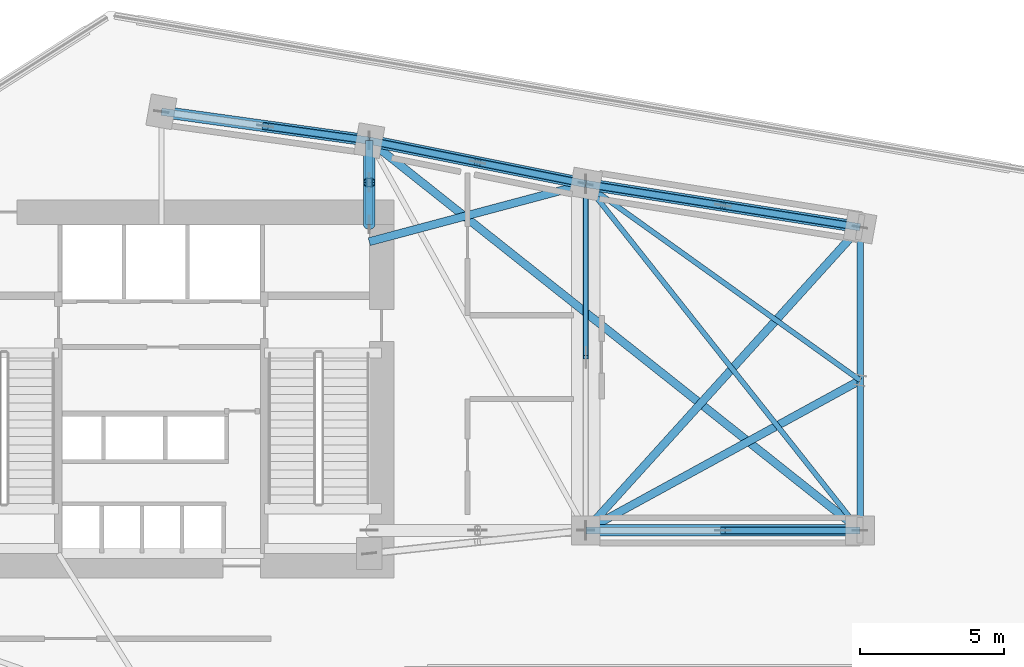
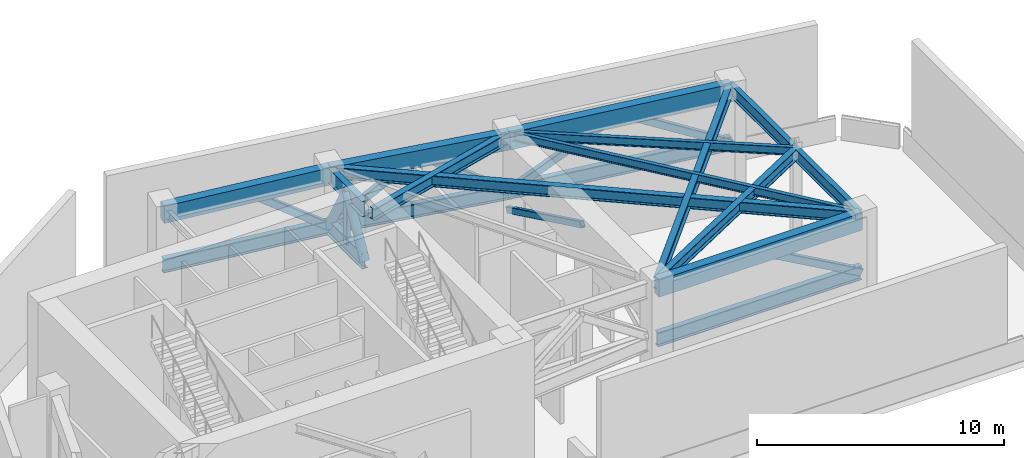
# One storey, part 3 of 10: 17 beams, 10 members.
"""IFC4 building model written with IfcOpenShell, lengths in metres."""

from ifc_helpers import new_model, si_unit, direction, frame, origin, origin_2d, place, context, subcontext, project, spatial, rectangle, hollow_rectangle, hollow_circle, i_section, extrude, source, transform, mapped, material, material_profile, profile_set, type_object, element, save


model = new_model("IFC4")

# Units and contexts
model_context = context("Model", 3, precision=1e-05, world=origin(), true_north=direction((0.0, 1.0)))
body_context = subcontext(model_context, "Body", "Model", "MODEL_VIEW")
ifc_project = project(units=[si_unit("LENGTHUNIT", "METRE"), si_unit("AREAUNIT", "SQUARE_METRE"), si_unit("VOLUMEUNIT", "CUBIC_METRE"), si_unit("PLANEANGLEUNIT", "RADIAN"), si_unit("MASSUNIT", "GRAM", prefix="KILO")], contexts=[model_context])

# Site, building, storey
site_placement = place(None, origin())
site = spatial("IfcSite", under=ifc_project, at=site_placement, CompositionType="ELEMENT")
building_placement = place(site_placement, origin())
building = spatial("IfcBuilding", under=site, at=building_placement, Name="Calvemar Wedge Station Tower", CompositionType="ELEMENT")
storey_placement = place(building_placement, frame((0.0, 0.0, 99.0)))
storey = spatial("IfcBuildingStorey", under=building, at=storey_placement, Name="L24", CompositionType="ELEMENT", Elevation=99.0)

# Beams
ifc_material_1 = material(Name="Concrete C60", Category="concrete")
ifc_material_profile_1 = material_profile(ifc_material_1, rectangle(XDim=0.39990234375, YDim=0.85009765625, at=origin_2d()), Name="RC400x850")
ifc_profile_set_1 = profile_set([ifc_material_profile_1], Name="Concrete C60")
beam_type_1 = type_object("IfcBeamType", Name="BM-SP1-850", PredefinedType="SPANDREL", material=ifc_profile_set_1)
shared_shape_1 = source(origin(), body_context, "Body", "SweptSolid", [
    extrude(rectangle(XDim=0.39990234375, YDim=0.85009765625, at=origin_2d()), origin(), (0.0, 0.0, 1.0), 7.26904296875),
])
beam_1_placement = place(storey_placement, frame((23.800048828125, 49.5, 5.675048828125), z_axis=(0.990492146053, -0.13756928657, 0.0), x_axis=(0.13756928657, 0.990492146053, 0.0)))
element("IfcBeam", 1, at=beam_1_placement, inside=storey, type_object=beam_type_1, Name="Storey L24 Spandrel T-N1-T-N2", PredefinedType="SPANDREL", context=body_context, shape_type="MappedRepresentation", body=[
    mapped(shared_shape_1, transform((0.0, 0.0, 0.0), scale=1.0)),
])
shared_shape_2 = source(origin(), body_context, "Body", "SweptSolid", [
    extrude(rectangle(XDim=0.39990234375, YDim=0.85009765625, at=origin_2d()), origin(), (0.0, 0.0, 1.0), 7.6484375),
])
beam_2_placement = place(storey_placement, frame((31.0, 48.5, 5.675048828125), z_axis=(0.980580675691, -0.196116135138, 0.0), x_axis=(0.196116135138, 0.980580675691, 0.0)))
element("IfcBeam", 2, at=beam_2_placement, inside=storey, type_object=beam_type_1, Name="Storey L24 Spandrel T-N2-T-NU3", PredefinedType="SPANDREL", context=body_context, shape_type="MappedRepresentation", body=[
    mapped(shared_shape_2, transform((0.0, 0.0, 0.0), scale=1.0)),
])
shared_shape_3 = source(origin(), body_context, "Body", "SweptSolid", [
    extrude(rectangle(XDim=0.39990234375, YDim=0.85009765625, at=origin_2d()), origin(), (0.0, 0.0, 1.0), 9.61767578125),
])
beam_3_placement = place(storey_placement, frame((38.5, 47.0, 5.675048828125), z_axis=(0.987762965329, -0.155962573473, 0.0), x_axis=(0.155962573473, 0.987762965329, 0.0)))
element("IfcBeam", 3, at=beam_3_placement, inside=storey, type_object=beam_type_1, Name="Storey L24 Spandrel T-NU3-T-NU4", PredefinedType="SPANDREL", context=body_context, shape_type="MappedRepresentation", body=[
    mapped(shared_shape_3, transform((0.0, 0.0, 0.0), scale=1.0)),
])
shared_shape_4 = source(origin(), body_context, "Body", "SweptSolid", [
    extrude(rectangle(XDim=0.39990234375, YDim=0.85009765625, at=origin_2d()), origin(), (0.0, 0.0, 1.0), 9.5),
])
beam_4_placement = place(storey_placement, frame((38.5, 35.0, 5.675048828125), z_axis=(1.0, 0.0, 0.0), x_axis=(0.0, 1.0, 0.0)))
element("IfcBeam", 4, at=beam_4_placement, inside=storey, type_object=beam_type_1, Name="Storey L24 Spandrel T-NL2-T-NL3", PredefinedType="SPANDREL", context=body_context, shape_type="MappedRepresentation", body=[
    mapped(shared_shape_4, transform((0.0, 0.0, 0.0), scale=1.0)),
])
ifc_material_2 = material(Name="Structural steel ASTM A572 Grade 50", Category="steel")
ifc_material_profile_2 = material_profile(ifc_material_2, i_section(OverallWidth=0.22998046875, OverallDepth=0.616943359375, WebThickness=0.01318359375, FlangeThickness=0.022216796875, FilletRadius=0.012939453125, at=origin_2d()), Name="W610x140")
ifc_profile_set_2 = profile_set([ifc_material_profile_2], Name="Structural steel ASTM A572 Grade 50")
beam_type_2 = type_object("IfcBeamType", Name="BM-SB2-W610", PredefinedType="BEAM", material=ifc_profile_set_2)
shared_shape_5 = source(origin(), body_context, "Body", "SweptSolid", [
    extrude(i_section(OverallWidth=0.22998046875, OverallDepth=0.616943359375, WebThickness=0.01318359375, FlangeThickness=0.022216796875, FilletRadius=0.012939453125, at=origin_2d()), origin(), (0.0, 0.0, 1.0), 10.5),
])
beam_5_placement = place(storey_placement, frame((48.0, 45.5, 5.79150390625), z_axis=(0.0, -1.0, 0.0), x_axis=(1.0, 0.0, 0.0)))
element("IfcBeam", 5, at=beam_5_placement, inside=storey, type_object=beam_type_2, Name="Storey L24 Floor Beam T-NU4-T-NL3", PredefinedType="BEAM", context=body_context, shape_type="MappedRepresentation", body=[
    mapped(shared_shape_5, transform((0.0, 0.0, 0.0), scale=1.0)),
])
ifc_material_profile_3 = material_profile(ifc_material_2, i_section(OverallWidth=0.279052734375, OverallDepth=0.553955078125, WebThickness=0.017578125, FlangeThickness=0.029541015625, FilletRadius=0.014892578125, at=origin_2d()), Name="W530x196")
ifc_profile_set_3 = profile_set([ifc_material_profile_3], Name="Structural steel ASTM A572 Grade 50")
beam_type_3 = type_object("IfcBeamType", Name="BM-SB3-W530H", PredefinedType="BEAM", material=ifc_profile_set_3)
shared_shape_6 = source(origin(), body_context, "Body", "SweptSolid", [
    extrude(i_section(OverallWidth=0.279052734375, OverallDepth=0.553955078125, WebThickness=0.017578125, FlangeThickness=0.029541015625, FilletRadius=0.014892578125, at=origin_2d()), origin(), (0.0, 0.0, 1.0), 21.708251953125),
])
beam_6_placement = place(storey_placement, frame((31.0, 48.5, 5.822998046875), z_axis=(0.783110847498, -0.621882143602, 0.0), x_axis=(0.621882143602, 0.783110847498, 0.0)))
element("IfcBeam", 6, at=beam_6_placement, inside=storey, type_object=beam_type_3, Name="Storey L24 Floor Beam T-N2-T-NL3", PredefinedType="BEAM", context=body_context, shape_type="MappedRepresentation", body=[
    mapped(shared_shape_6, transform((0.0, 0.0, 0.0), scale=1.0)),
])
ifc_material_profile_4 = material_profile(ifc_material_2, i_section(OverallWidth=0.177978515625, OverallDepth=0.406982421875, WebThickness=0.0078125, FlangeThickness=0.0126953125, FilletRadius=0.010009765625, at=origin_2d()), Name="W410x60")
ifc_profile_set_4 = profile_set([ifc_material_profile_4], Name="Structural steel ASTM A572 Grade 50")
beam_type_4 = type_object("IfcBeamType", Name="BM-J3-W410", PredefinedType="JOIST", material=ifc_profile_set_4)
shared_shape_7 = source(origin(), body_context, "Body", "SweptSolid", [
    extrude(i_section(OverallWidth=0.177978515625, OverallDepth=0.406982421875, WebThickness=0.0078125, FlangeThickness=0.0126953125, FilletRadius=0.010009765625, at=origin_2d()), origin(), (0.0, 0.0, 1.0), 15.30517578125),
])
beam_7_placement = place(storey_placement, frame((38.5, 47.0, 5.896484375), z_axis=(0.620702944366, -0.784045824462, 0.0), x_axis=(0.784045824462, 0.620702944366, 0.0)))
element("IfcBeam", 7, at=beam_7_placement, inside=storey, type_object=beam_type_4, Name="Storey L24 Floor Beam T-NU3-T-NL3", PredefinedType="JOIST", context=body_context, shape_type="MappedRepresentation", body=[
    mapped(shared_shape_7, transform((0.0, 0.0, 0.0), scale=1.0)),
])
shared_shape_8 = source(origin(), body_context, "Body", "SweptSolid", [
    extrude(i_section(OverallWidth=0.279052734375, OverallDepth=0.553955078125, WebThickness=0.017578125, FlangeThickness=0.029541015625, FilletRadius=0.014892578125, at=origin_2d()), origin(), (0.0, 0.0, 1.0), 14.159912109375),
])
beam_8_placement = place(storey_placement, frame((38.5, 35.0, 5.822998046875), z_axis=(0.670913323969, 0.741535779124, 0.0), x_axis=(-0.741535779124, 0.670913323969, 0.0)))
element("IfcBeam", 8, at=beam_8_placement, inside=storey, type_object=beam_type_3, Name="Storey L24 Floor Beam T-NL2-T-NU4", PredefinedType="BEAM", context=body_context, shape_type="MappedRepresentation", body=[
    mapped(shared_shape_8, transform((0.0, 0.0, 0.0), scale=1.0)),
])
shared_shape_9 = source(origin(), body_context, "Body", "SweptSolid", [
    extrude(i_section(OverallWidth=0.177978515625, OverallDepth=0.406982421875, WebThickness=0.0078125, FlangeThickness=0.0126953125, FilletRadius=0.010009765625, at=origin_2d()), origin(), (0.0, 0.0, 1.0), 11.682861328125),
])
beam_9_placement = place(storey_placement, frame((48.0, 40.199951171875, 5.896484375), z_axis=(-0.81315274409, 0.582050354161, 0.0), x_axis=(-0.582050354161, -0.81315274409, 0.0)))
element("IfcBeam", 9, at=beam_9_placement, inside=storey, type_object=beam_type_4, Name="Storey L24 Floor Beam T-NTIP-A-T-NU3", PredefinedType="JOIST", context=body_context, shape_type="MappedRepresentation", body=[
    mapped(shared_shape_9, transform((0.0, 0.0, 0.0), scale=1.0)),
])
shared_shape_10 = source(origin(), body_context, "Body", "SweptSolid", [
    extrude(i_section(OverallWidth=0.279052734375, OverallDepth=0.553955078125, WebThickness=0.017578125, FlangeThickness=0.029541015625, FilletRadius=0.014892578125, at=origin_2d()), origin(), (0.0, 0.0, 1.0), 10.830078125),
])
beam_10_placement = place(storey_placement, frame((48.0, 40.199951171875, 5.822998046875), z_axis=(-0.877190767997, -0.480142017053, 0.0), x_axis=(0.480142017053, -0.877190767997, 0.0)))
element("IfcBeam", 10, at=beam_10_placement, inside=storey, type_object=beam_type_3, Name="Storey L24 Floor Beam T-NTIP-A-T-NL2", PredefinedType="BEAM", context=body_context, shape_type="MappedRepresentation", body=[
    mapped(shared_shape_10, transform((0.0, 0.0, 0.0), scale=1.0)),
])
shared_shape_11 = source(origin(), body_context, "Body", "SweptSolid", [
    extrude(i_section(OverallWidth=0.279052734375, OverallDepth=0.553955078125, WebThickness=0.017578125, FlangeThickness=0.029541015625, FilletRadius=0.014892578125, at=origin_2d()), origin(), (0.0, 0.0, 1.0), 7.76220703125),
])
beam_11_placement = place(storey_placement, frame((31.0, 45.0, 5.822998046875), z_axis=(0.966234939601, 0.25766265056, 0.0), x_axis=(-0.25766265056, 0.966234939601, 0.0)))
element("IfcBeam", 11, at=beam_11_placement, inside=storey, type_object=beam_type_3, Name="Storey L24 Core-to-Column Joist CJ-E2", PredefinedType="BEAM", context=body_context, shape_type="MappedRepresentation", body=[
    mapped(shared_shape_11, transform((0.0, 0.0, 0.0), scale=1.0)),
])

# Members
ifc_material_profile_5 = material_profile(ifc_material_2, hollow_rectangle(XDim=0.199951171875, YDim=0.300048828125, WallThickness=0.013916015625, InnerFilletRadius=0.013916015625, OuterFilletRadius=0.028076171875, at=origin_2d()), Name="HSS300x200x14")
ifc_profile_set_5 = profile_set([ifc_material_profile_5], Name="Structural steel ASTM A572 Grade 50")
member_type_1 = type_object("IfcMemberType", Name="MEM-ST1-HSS300", PredefinedType="STRUT", material=ifc_profile_set_5)
shared_shape_12 = source(origin(), body_context, "Body", "SweptSolid", [
    extrude(hollow_rectangle(XDim=0.199951171875, YDim=0.300048828125, WallThickness=0.013916015625, InnerFilletRadius=0.013916015625, OuterFilletRadius=0.028076171875, at=origin_2d()), origin(), (0.0, 0.0, 1.0), 6.6640625),
])
member_1_placement = place(storey_placement, frame((38.5, 47.0, 2.199951171875), z_axis=(0.0, -0.900340340443, 0.435186478846), x_axis=(1.0, 0.0, 0.0)))
element("IfcMember", 12, at=member_1_placement, inside=storey, type_object=member_type_1, Name="L24 Shifted-Blade Transfer Strut 2 to T-NTIP-B", PredefinedType="STRUT", context=body_context, shape_type="MappedRepresentation", body=[
    mapped(shared_shape_12, transform((0.0, 0.0, 0.0), scale=1.0)),
])
shared_shape_13 = source(origin(), body_context, "Body", "SweptSolid", [
    extrude(hollow_rectangle(XDim=0.199951171875, YDim=0.300048828125, WallThickness=0.013916015625, InnerFilletRadius=0.013916015625, OuterFilletRadius=0.028076171875, at=origin_2d()), origin(), (0.0, 0.0, 1.0), 2.576904296875),
])
member_2_placement = place(storey_placement, frame((31.0, 47.050048828125, 3.136474609375), z_axis=(0.0, 0.0, 1.0), x_axis=(1.0, 0.0, 0.0)))
element("IfcMember", 13, at=member_2_placement, inside=storey, type_object=member_type_1, Name="L24 Outrigger OT-N Strut", PredefinedType="STRUT", context=body_context, shape_type="MappedRepresentation", body=[
    mapped(shared_shape_13, transform((0.0, 0.0, 0.0), scale=1.0)),
])

# Beams
ifc_material_profile_6 = material_profile(ifc_material_2, i_section(OverallWidth=0.27001953125, OverallDepth=0.77294921875, WebThickness=0.018798828125, FlangeThickness=0.0322265625, FilletRadius=0.01806640625, at=origin_2d()), Name="W760x257")
ifc_profile_set_6 = profile_set([ifc_material_profile_6], Name="Structural steel ASTM A572 Grade 50")
beam_type_5 = type_object("IfcBeamType", Name="BM-OT1-W760", PredefinedType="BEAM", material=ifc_profile_set_6)
shared_shape_14 = source(origin(), body_context, "Body", "SweptSolid", [
    extrude(i_section(OverallWidth=0.27001953125, OverallDepth=0.77294921875, WebThickness=0.018798828125, FlangeThickness=0.0322265625, FilletRadius=0.01806640625, at=origin_2d()), origin(), (0.0, 0.0, 1.0), 2.89990234375),
])
for number, where, z_axis, x_axis, name in (
    (14, (31.0, 45.60009765625, 3.136474609375), (0.0, 1.0, 0.0), (-1.0, 0.0, 0.0), "L24 Outrigger OT-N Bottom Chord"),
    (15, (31.0, 45.60009765625, 5.71337890625), (0.0, 1.0, 0.0), (-1.0, 0.0, 0.0), "L24 Outrigger OT-N Top Chord"),
):
    element("IfcBeam", number, at=place(storey_placement, frame(where, z_axis=z_axis, x_axis=x_axis)), inside=storey, type_object=beam_type_5, Name=name, PredefinedType="BEAM", context=body_context, shape_type="MappedRepresentation", body=[
        mapped(shared_shape_14, transform((0.0, 0.0, 0.0), scale=1.0)),
    ])

# Members
ifc_material_profile_7 = material_profile(ifc_material_2, hollow_circle(Radius=0.203125, WallThickness=0.02001953125, at=origin_2d()), Name="CHS406.4x20")
ifc_profile_set_7 = profile_set([ifc_material_profile_7], Name="Structural steel ASTM A572 Grade 50")
member_type_2 = type_object("IfcMemberType", Name="MEM-D3-CHS406", PredefinedType="BRACE", material=ifc_profile_set_7)
shared_shape_15 = source(origin(), body_context, "Body", "SweptSolid", [
    extrude(hollow_circle(Radius=0.203125, WallThickness=0.02001953125, at=origin_2d()), origin(), (0.0, 0.0, 1.0), 2.956787109375),
])
for number, where, z_axis, x_axis, name in (
    (16, (31.0, 45.60009765625, 3.136474609375), (0.0, 0.49037492042, 0.871511581921), (-1.0, 0.0, 0.0), "L24 Outrigger OT-N Diagonal 1"),
    (17, (31.0, 47.050048828125, 5.71337890625), (0.0, 0.49037492042, -0.871511581921), (-1.0, 0.0, 0.0), "L24 Outrigger OT-N Diagonal 2"),
):
    element("IfcMember", number, at=place(storey_placement, frame(where, z_axis=z_axis, x_axis=x_axis)), inside=storey, type_object=member_type_2, Name=name, PredefinedType="BRACE", context=body_context, shape_type="MappedRepresentation", body=[
        mapped(shared_shape_15, transform((0.0, 0.0, 0.0), scale=1.0)),
    ])

# Beam
ifc_material_profile_8 = material_profile(ifc_material_2, i_section(OverallWidth=0.25390625, OverallDepth=0.68798828125, WebThickness=0.015380859375, FlangeThickness=0.02783203125, FilletRadius=0.014892578125, at=origin_2d()), Name="W690x192")
ifc_profile_set_8 = profile_set([ifc_material_profile_8], Name="Structural steel ASTM A572 Grade 50")
beam_type_6 = type_object("IfcBeamType", Name="BM-BT1-W690", PredefinedType="BEAM", material=ifc_profile_set_8)
shared_shape_16 = source(origin(), body_context, "Body", "SweptSolid", [
    extrude(i_section(OverallWidth=0.25390625, OverallDepth=0.68798828125, WebThickness=0.015380859375, FlangeThickness=0.02783203125, FilletRadius=0.014892578125, at=origin_2d()), origin(), (0.0, 0.0, 1.0), 7.26904296875),
])
beam_12_placement = place(storey_placement, frame((23.800048828125, 49.5, 3.093994140625), z_axis=(0.990492146053, -0.13756928657, 0.0), x_axis=(0.13756928657, 0.990492146053, 0.0)))
element("IfcBeam", 18, at=beam_12_placement, inside=storey, type_object=beam_type_6, Name="L24 Belt Truss Bottom Chord 1", PredefinedType="BEAM", context=body_context, shape_type="MappedRepresentation", body=[
    mapped(shared_shape_16, transform((0.0, 0.0, 0.0), scale=1.0)),
])

# Member
ifc_material_profile_9 = material_profile(ifc_material_2, hollow_rectangle(XDim=0.25, YDim=0.35009765625, WallThickness=0.01611328125, InnerFilletRadius=0.01611328125, OuterFilletRadius=0.031982421875, at=origin_2d()), Name="HSS350x250x16")
ifc_profile_set_9 = profile_set([ifc_material_profile_9], Name="Structural steel ASTM A572 Grade 50")
member_type_3 = type_object("IfcMemberType", Name="MEM-D7-HSS350", PredefinedType="BRACE", material=ifc_profile_set_9)
shared_shape_17 = source(origin(), body_context, "Body", "SweptSolid", [
    extrude(hollow_rectangle(XDim=0.25, YDim=0.35009765625, WallThickness=0.01611328125, InnerFilletRadius=0.01611328125, OuterFilletRadius=0.031982421875, at=origin_2d()), origin(), (0.0, 0.0, 1.0), 4.50537109375),
])
member_3_placement = place(storey_placement, frame((27.39990234375, 49.0, 5.756103515625), z_axis=(0.79908447194, -0.110980943885, -0.590886822327), x_axis=(0.137564710214, 0.990492781651, 0.0)))
element("IfcMember", 19, at=member_3_placement, inside=storey, type_object=member_type_3, Name="L24 Belt Truss Chevron 1B", PredefinedType="BRACE", context=body_context, shape_type="MappedRepresentation", body=[
    mapped(shared_shape_17, transform((0.0, 0.0, 0.0), scale=1.0)),
])

# Beam
shared_shape_18 = source(origin(), body_context, "Body", "SweptSolid", [
    extrude(i_section(OverallWidth=0.25390625, OverallDepth=0.68798828125, WebThickness=0.015380859375, FlangeThickness=0.02783203125, FilletRadius=0.014892578125, at=origin_2d()), origin(), (0.0, 0.0, 1.0), 7.6484375),
])
beam_13_placement = place(storey_placement, frame((31.0, 48.5, 3.093994140625), z_axis=(0.980580675691, -0.196116135138, 0.0), x_axis=(0.196116135138, 0.980580675691, 0.0)))
element("IfcBeam", 20, at=beam_13_placement, inside=storey, type_object=beam_type_6, Name="L24 Belt Truss Bottom Chord 2", PredefinedType="BEAM", context=body_context, shape_type="MappedRepresentation", body=[
    mapped(shared_shape_18, transform((0.0, 0.0, 0.0), scale=1.0)),
])

# Members
shared_shape_19 = source(origin(), body_context, "Body", "SweptSolid", [
    extrude(hollow_rectangle(XDim=0.25, YDim=0.35009765625, WallThickness=0.01611328125, InnerFilletRadius=0.01611328125, OuterFilletRadius=0.031982421875, at=origin_2d()), origin(), (0.0, 0.0, 1.0), 4.65966796875),
])
for number, where, z_axis, x_axis, name in (
    (21, (31.0, 48.5, 3.093994140625), (0.804790960229, -0.160958192046, 0.571317749371), (0.196116135138, 0.980580675691, 0.0), "L24 Belt Truss Chevron 2A"),
    (22, (34.75, 47.75, 5.756103515625), (0.804790960229, -0.160958192046, -0.571317749371), (0.196116135138, 0.980580675691, 0.0), "L24 Belt Truss Chevron 2B"),
):
    element("IfcMember", number, at=place(storey_placement, frame(where, z_axis=z_axis, x_axis=x_axis)), inside=storey, type_object=member_type_3, Name=name, PredefinedType="BRACE", context=body_context, shape_type="MappedRepresentation", body=[
        mapped(shared_shape_19, transform((0.0, 0.0, 0.0), scale=1.0)),
    ])

# Beam
shared_shape_20 = source(origin(), body_context, "Body", "SweptSolid", [
    extrude(i_section(OverallWidth=0.25390625, OverallDepth=0.68798828125, WebThickness=0.015380859375, FlangeThickness=0.02783203125, FilletRadius=0.014892578125, at=origin_2d()), origin(), (0.0, 0.0, 1.0), 9.61767578125),
])
beam_14_placement = place(storey_placement, frame((38.5, 47.0, 3.093994140625), z_axis=(0.987762965329, -0.155962573473, 0.0), x_axis=(0.155962573473, 0.987762965329, 0.0)))
element("IfcBeam", 23, at=beam_14_placement, inside=storey, type_object=beam_type_6, Name="L24 Belt Truss Bottom Chord 3", PredefinedType="BEAM", context=body_context, shape_type="MappedRepresentation", body=[
    mapped(shared_shape_20, transform((0.0, 0.0, 0.0), scale=1.0)),
])

# Members
shared_shape_21 = source(origin(), body_context, "Body", "SweptSolid", [
    extrude(hollow_rectangle(XDim=0.25, YDim=0.35009765625, WallThickness=0.01611328125, InnerFilletRadius=0.01611328125, OuterFilletRadius=0.031982421875, at=origin_2d()), origin(), (0.0, 0.0, 1.0), 5.49658203125),
])
for number, where, z_axis, x_axis, name in (
    (24, (38.5, 47.0, 3.093994140625), (0.864181808431, -0.136449759226, 0.484325577669), (0.155962573473, 0.987762965329, 0.0), "L24 Belt Truss Chevron 3A"),
    (25, (43.25, 46.25, 5.756103515625), (0.864181808431, -0.136449759226, -0.484325577669), (0.155962573473, 0.987762965329, 0.0), "L24 Belt Truss Chevron 3B"),
):
    element("IfcMember", number, at=place(storey_placement, frame(where, z_axis=z_axis, x_axis=x_axis)), inside=storey, type_object=member_type_3, Name=name, PredefinedType="BRACE", context=body_context, shape_type="MappedRepresentation", body=[
        mapped(shared_shape_21, transform((0.0, 0.0, 0.0), scale=1.0)),
    ])

# Beam
shared_shape_22 = source(origin(), body_context, "Body", "SweptSolid", [
    extrude(i_section(OverallWidth=0.25390625, OverallDepth=0.68798828125, WebThickness=0.015380859375, FlangeThickness=0.02783203125, FilletRadius=0.014892578125, at=origin_2d()), origin(), (0.0, 0.0, 1.0), 9.5),
])
beam_15_placement = place(storey_placement, frame((38.5, 35.0, 3.093994140625), z_axis=(1.0, 0.0, 0.0), x_axis=(0.0, 1.0, 0.0)))
element("IfcBeam", 26, at=beam_15_placement, inside=storey, type_object=beam_type_6, Name="L24 Belt Truss Bottom Chord 5", PredefinedType="BEAM", context=body_context, shape_type="MappedRepresentation", body=[
    mapped(shared_shape_22, transform((0.0, 0.0, 0.0), scale=1.0)),
])

# Member
shared_shape_23 = source(origin(), body_context, "Body", "SweptSolid", [
    extrude(hollow_rectangle(XDim=0.25, YDim=0.35009765625, WallThickness=0.01611328125, InnerFilletRadius=0.01611328125, OuterFilletRadius=0.031982421875, at=origin_2d()), origin(), (0.0, 0.0, 1.0), 5.445068359375),
])
member_4_placement = place(storey_placement, frame((43.25, 35.0, 5.756103515625), z_axis=(0.872340818891, 0.0, -0.488898246772), x_axis=(0.0, 1.0, 0.0)))
element("IfcMember", 27, at=member_4_placement, inside=storey, type_object=member_type_3, Name="L24 Belt Truss Chevron 5B", PredefinedType="BRACE", context=body_context, shape_type="MappedRepresentation", body=[
    mapped(shared_shape_23, transform((0.0, 0.0, 0.0), scale=1.0)),
])

save(model, "model.ifc")
